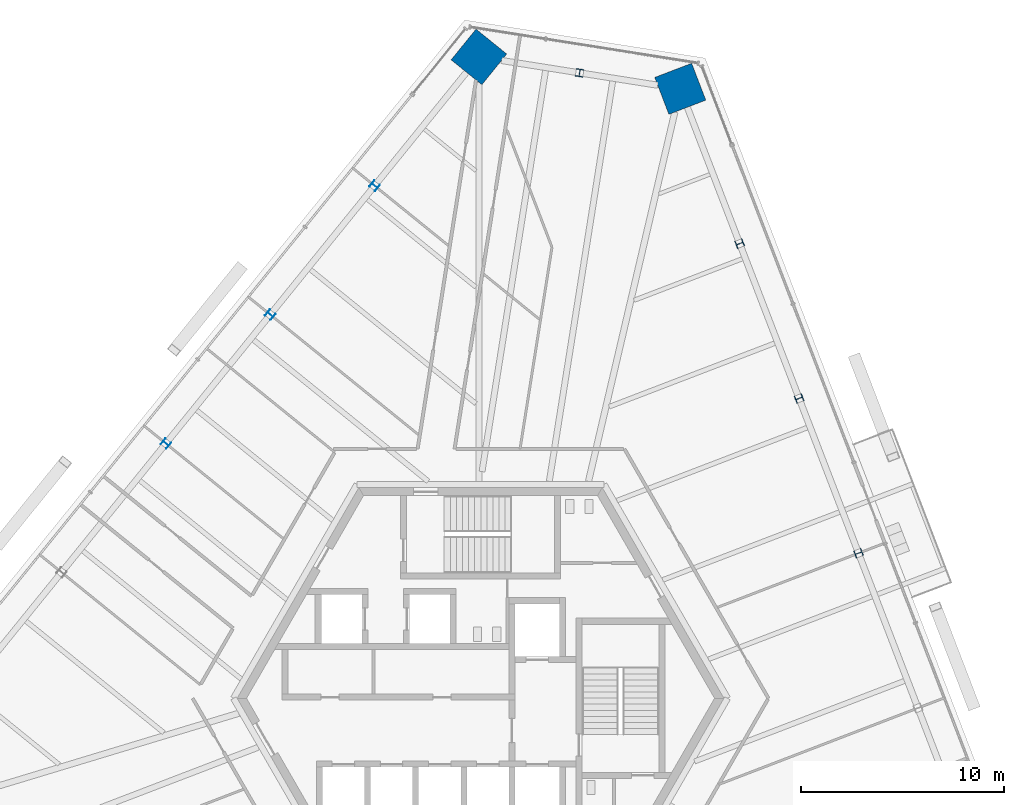
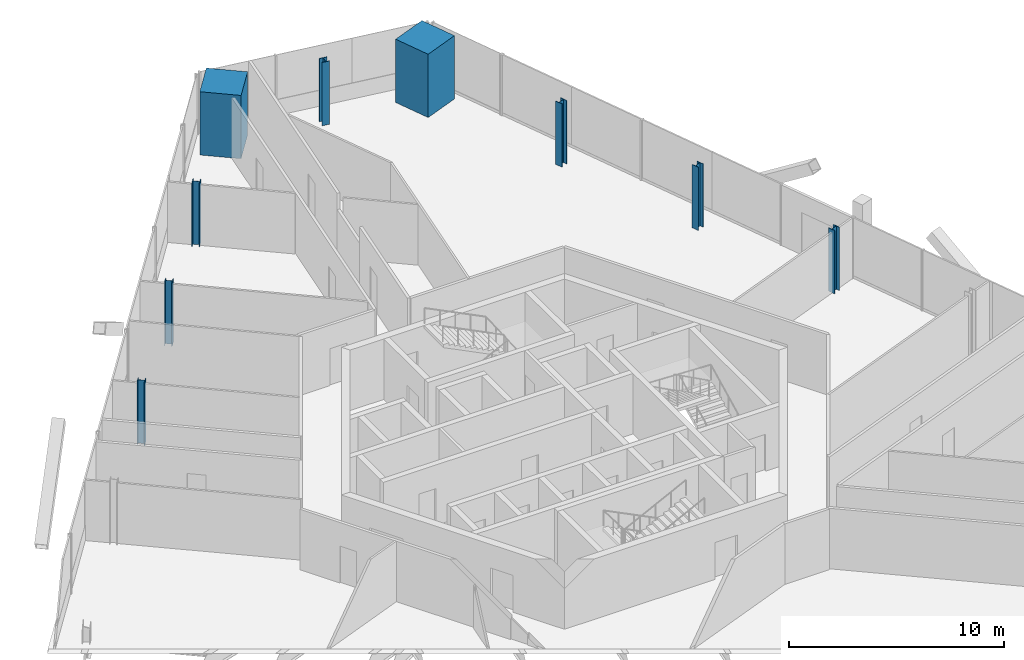
# One storey, part 3 of 19: 9 columns.
"""IFC4 building model written with IfcOpenShell, lengths in metres."""

from ifc_helpers import new_model, si_unit, direction, frame, origin, origin_2d, place, context, subcontext, project, spatial, rectangle, i_section, extrude, source, transform, mapped, material, material_profile, profile_set, type_object, element, save


model = new_model("IFC4")

# Units and contexts
model_context = context("Model", 3, precision=1e-05, world=origin(), true_north=direction((0.0, 1.0)))
body_context = subcontext(model_context, "Body", "Model", "MODEL_VIEW")
ifc_project = project(units=[si_unit("LENGTHUNIT", "METRE"), si_unit("AREAUNIT", "SQUARE_METRE"), si_unit("VOLUMEUNIT", "CUBIC_METRE"), si_unit("PLANEANGLEUNIT", "RADIAN"), si_unit("MASSUNIT", "GRAM", prefix="KILO")], contexts=[model_context])

# Site, building, storey
site_placement = place(None, origin())
site = spatial("IfcSite", under=ifc_project, at=site_placement, CompositionType="ELEMENT")
building_placement = place(site_placement, origin())
building = spatial("IfcBuilding", under=site, at=building_placement, Name="Triune Harvest Tower", CompositionType="ELEMENT")
storey_placement = place(building_placement, frame((0.0, 0.0, 149.699951171875)))
storey = spatial("IfcBuildingStorey", under=building, at=storey_placement, Name="L38", CompositionType="ELEMENT", Elevation=149.699951171875)

# Columns
ifc_material_1 = material(Name="Concrete 70 MPa", Category="concrete")
ifc_material_profile_1 = material_profile(ifc_material_1, rectangle(XDim=1.949951171875, YDim=1.949951171875, at=origin_2d()), Name="Composite 1950x1950")
ifc_profile_set_1 = profile_set([ifc_material_profile_1], Name="Concrete 70 MPa")
column_type_1 = type_object("IfcColumnType", Name="MC-4 Mega column Composite 1950x1950", PredefinedType="COLUMN", material=ifc_profile_set_1)
shared_shape_1 = source(origin(), body_context, "Body", "SweptSolid", [
    extrude(rectangle(XDim=1.949951171875, YDim=1.949951171875, at=origin_2d()), origin(), (0.0, 0.0, 1.0), 3.60009765625),
])
for number, where, z_axis, x_axis, name in (
    (1, (9.846923828125, 30.0498046875, 0.0), (0.0, 0.0, 1.0), (-0.358367949545, 0.933580426497, 0.0), "col/L38/M6"),
    (2, (-0.0791015625, 31.621826171875, 0.0), (0.0, 0.0, 1.0), (-0.629321747424, -0.777144863084, 0.0), "col/L38/M8"),
):
    element("IfcColumn", number, at=place(storey_placement, frame(where, z_axis=z_axis, x_axis=x_axis)), inside=storey, type_object=column_type_1, Name=name, PredefinedType="COLUMN", context=body_context, shape_type="MappedRepresentation", body=[
        mapped(shared_shape_1, transform((0.0, 0.0, 0.0), scale=1.0)),
    ])
ifc_material_2 = material(Name="Steel ASTM A992 Gr 50", Category="steel")
ifc_material_profile_2 = material_profile(ifc_material_2, i_section(OverallWidth=0.373291015625, OverallDepth=0.373291015625, WebThickness=0.016357421875, FlangeThickness=0.026123046875, at=origin_2d()), Name="W14x132")
ifc_profile_set_2 = profile_set([ifc_material_profile_2], Name="Steel ASTM A992 Gr 50")
column_type_2 = type_object("IfcColumnType", Name="PC-4 Perimeter column W14x132", PredefinedType="COLUMN", material=ifc_profile_set_2)
shared_shape_2 = source(origin(), body_context, "Body", "SweptSolid", [
    extrude(i_section(OverallWidth=0.373291015625, OverallDepth=0.373291015625, WebThickness=0.016357421875, FlangeThickness=0.026123046875, at=origin_2d()), origin(), (0.0, 0.0, 1.0), 3.60009765625),
])
for number, where, z_axis, x_axis, name in (
    (3, (18.635986328125, 7.15380859375, 0.0), (0.0, 0.0, 1.0), (-0.358367949545, 0.933580426497, 0.0), "col/L38/P3"),
    (4, (15.706298828125, 14.78564453125, 0.0), (0.0, 0.0, 1.0), (-0.358367949545, 0.933580426497, 0.0), "col/L38/P4"),
    (5, (12.776611328125, 22.417724609375, 0.0), (0.0, 0.0, 1.0), (-0.358367949545, 0.933580426497, 0.0), "col/L38/P5"),
    (6, (4.8837890625, 30.8359375, 0.0), (0.0, 0.0, 1.0), (-0.987688340595, 0.15643446504, 0.0), "col/L38/P7"),
    (7, (-5.223876953125, 25.268798828125, 0.0), (0.0, 0.0, 1.0), (-0.629321747424, -0.777144863084, 0.0), "col/L38/P9"),
    (8, (-10.36865234375, 18.91552734375, 0.0), (0.0, 0.0, 1.0), (-0.629321747424, -0.777144863084, 0.0), "col/L38/P10"),
    (9, (-15.51318359375, 12.5625, 0.0), (0.0, 0.0, 1.0), (-0.629321747424, -0.777144863084, 0.0), "col/L38/P11"),
):
    element("IfcColumn", number, at=place(storey_placement, frame(where, z_axis=z_axis, x_axis=x_axis)), inside=storey, type_object=column_type_2, Name=name, PredefinedType="COLUMN", context=body_context, shape_type="MappedRepresentation", body=[
        mapped(shared_shape_2, transform((0.0, 0.0, 0.0), scale=1.0)),
    ])

save(model, "model.ifc")
